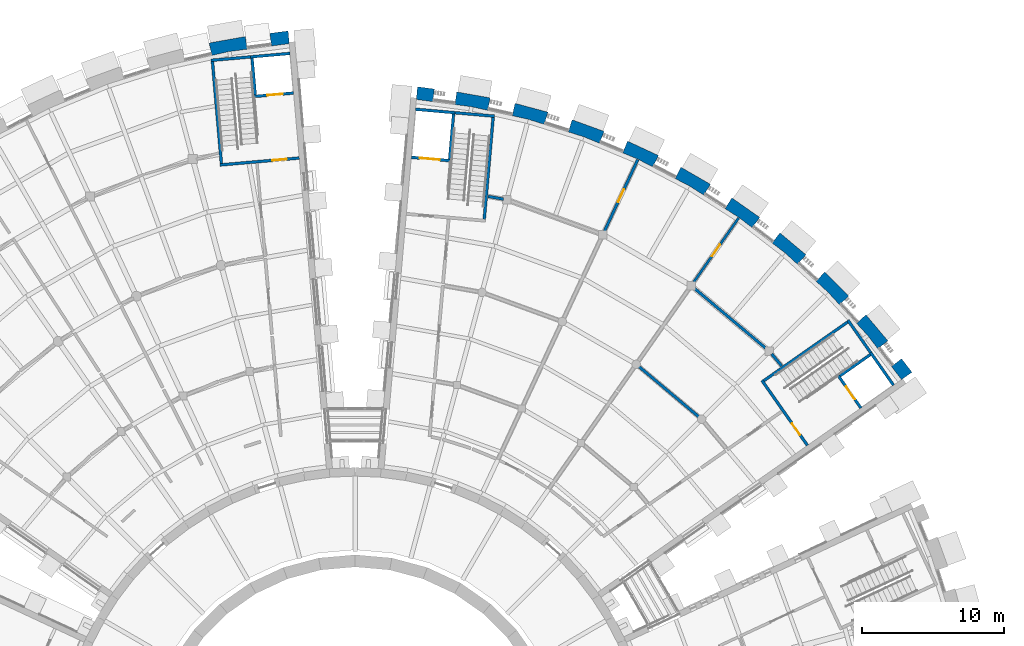
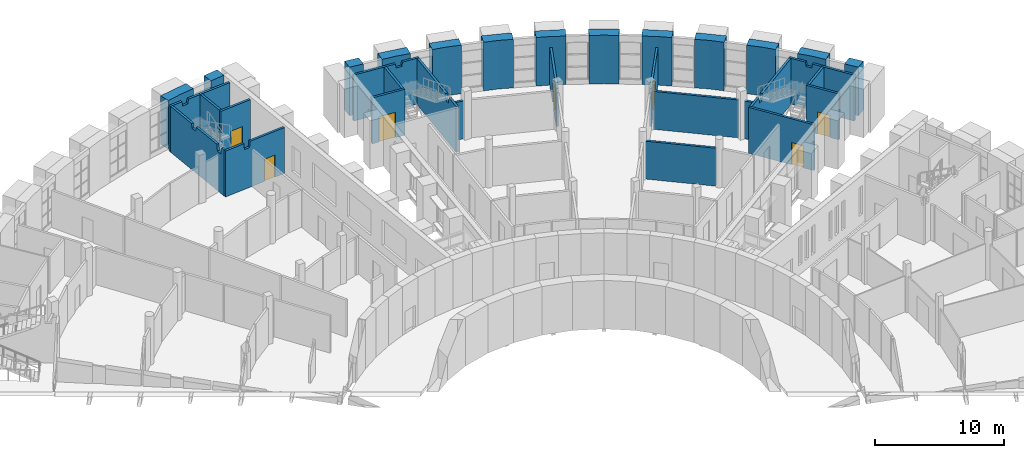
# One storey, part 49 of 66: 36 walls, 7 doors, 7 openings.
"""IFC4 building model written with IfcOpenShell, lengths in metres."""

from ifc_helpers import new_model, si_unit, direction, frame, frame_2d, origin, place, context, subcontext, project, spatial, polyline, rectangle, outline, extrude, material, layer, layer_set, type_object, element, fill, save


model = new_model("IFC4")

# Units and contexts
model_context = context("Model", 3, precision=1e-05, world=origin(), true_north=direction((0.0, 1.0)))
body_context = subcontext(model_context, "Body", "Model", "MODEL_VIEW")
ifc_project = project(units=[si_unit("LENGTHUNIT", "METRE"), si_unit("AREAUNIT", "SQUARE_METRE"), si_unit("VOLUMEUNIT", "CUBIC_METRE"), si_unit("PLANEANGLEUNIT", "RADIAN"), si_unit("MASSUNIT", "GRAM", prefix="KILO")], contexts=[model_context])

# Site, building, storey
site_placement = place(None, origin())
site = spatial("IfcSite", under=ifc_project, at=site_placement, CompositionType="ELEMENT")
building_placement = place(site_placement, origin())
building = spatial("IfcBuilding", under=site, at=building_placement, Name="Volute Hill Aquarium", CompositionType="ELEMENT")
storey_placement = place(building_placement, frame((0.0, 0.0, 4.60009765625)))
storey = spatial("IfcBuildingStorey", under=building, at=storey_placement, Name="L02", CompositionType="ELEMENT", Elevation=4.60009765625)

# Wall, opening, door
ifc_material_1 = material(Name="Concrete C30/37", Category="concrete")
ifc_layer_1 = layer(ifc_material_1, 0.199951171875)
ifc_layer_set_1 = layer_set([ifc_layer_1], Name="Core wall 200 REI 60")
wall_type_1 = type_object("IfcWallType", Name="Core wall 200 REI 60", PredefinedType="SHEAR", material=ifc_layer_set_1)
wall_1_placement = place(storey_placement, frame((31.873291015625, 22.56201171875, 0.0), z_axis=(0.0, 0.0, 1.0), x_axis=(-0.573599855614, 0.819135645446, 0.0)))
wall_1 = element("IfcWall", 1, at=wall_1_placement, inside=storey, type_object=wall_type_1, Name="wc/S5-A/L02/in", PredefinedType="SHEAR", context=body_context, shape_type="SweptSolid", body=[
    extrude(rectangle(XDim=5.60009765625, YDim=0.199951171875, at=frame_2d((2.800048828125, 0.0))), origin(), (0.0, 0.0, 1.0), 4.349853515625),
])
opening_1_placement = place(wall_1_placement, frame((0.89990234375, 0.0, 0.0)))
opening_1 = element("IfcOpeningElement", 2, at=opening_1_placement, cuts=wall_1, Name="Opening D5.02.AS", PredefinedType="OPENING", context=body_context, shape_type="SweptSolid", body=[
    extrude(rectangle(XDim=1.0, YDim=2.10009765625, at=frame_2d((0.5, 1.050048828125))), frame((0.0, 0.10986328125, 0.0), z_axis=(0.0, -1.0, 0.0), x_axis=(1.0, 0.0, 0.0)), (0.0, 0.0, 1.0), 0.219970703125),
])
ifc_material_2 = material(Name="Timber, fire-rated", Category="wood")
door_type_1 = type_object("IfcDoorType", Name="Door 1000 x 2100 single EI1 30", OperationType="SINGLE_SWING_LEFT", PredefinedType="DOOR", material=ifc_material_2)
door_1_placement = place(opening_1_placement, origin())
door_1 = element("IfcDoor", 3, at=door_1_placement, inside=storey, type_object=door_type_1, Name="d/S5-A/L02/st", OperationType="SINGLE_SWING_RIGHT", OverallHeight=2.10009765625, OverallWidth=1.0, PredefinedType="DOOR", context=body_context, shape_type="SweptSolid", body=[
    extrude(rectangle(XDim=1.0, YDim=2.10009765625, at=frame_2d((0.5, 1.050048828125))), frame((0.0, 0.02490234375, 0.0), z_axis=(0.0, -1.0, 0.0), x_axis=(1.0, 0.0, 0.0)), (0.0, 0.0, 1.0), 0.050048828125),
])
fill(opening_1, door_1)

# Walls
wall_2_placement = place(storey_placement, frame((28.80029296875, 27.124755859375, 0.0), z_axis=(0.0, 0.0, 1.0), x_axis=(0.819161821637, 0.573562472597, 0.0)))
element("IfcWall", 4, at=wall_2_placement, inside=storey, type_object=wall_type_1, Name="wc/S5-A/L02/side", PredefinedType="SHEAR", context=body_context, shape_type="SweptSolid", body=[
    extrude(outline(polyline([(0.0, 0.0), (7.199951171875, 0.0), (7.199951171875, 4.349853515625), (1.93017578125, 4.349853515625), (1.880126953125, 3.760009765625), (1.380126953125, 3.760009765625), (1.330078125, 4.349853515625), (0.0, 4.349853515625), (0.0, 0.0)])), frame((0.0, 0.10009765625, 0.0), z_axis=(0.0, -1.0, 0.0), x_axis=(1.0, 0.0, 0.0)), (0.0, 0.0, 1.0), 0.199951171875),
])
wall_3_placement = place(storey_placement, frame((36.328857421875, 29.10009765625, 0.0), z_axis=(0.0, 0.0, 1.0), x_axis=(-0.573550118428, 0.819170471667, 0.0)))
element("IfcWall", 5, at=wall_3_placement, inside=storey, type_object=wall_type_1, Name="wc/S5-A/L02/out-b", PredefinedType="SHEAR", context=body_context, shape_type="SweptSolid", body=[
    extrude(outline(polyline([(0.0, 0.0), (2.800048828125, 0.0), (2.800048828125, 4.349853515625), (1.37255859375, 4.349853515625), (1.322509765625, 3.9599609375), (0.822509765625, 3.9599609375), (0.7724609375, 4.349853515625), (0.0, 4.349853515625), (0.0, 0.0)])), frame((0.0, 0.10009765625, 0.0), z_axis=(0.0, -1.0, 0.0), x_axis=(1.0, 0.0, 0.0)), (0.0, 0.0, 1.0), 0.199951171875),
])
wall_4_placement = place(storey_placement, frame((9.090576171875, 38.504150390625, 0.0), z_axis=(0.0, 0.0, 1.0), x_axis=(0.087144656612, 0.996195667941, 0.0)))
element("IfcWall", 6, at=wall_4_placement, inside=storey, type_object=wall_type_1, Name="wc/S5-B/L02/side", PredefinedType="SHEAR", context=body_context, shape_type="SweptSolid", body=[
    extrude(outline(polyline([(0.0, 0.0), (7.199951171875, 0.0), (7.199951171875, 4.349853515625), (1.93017578125, 4.349853515625), (1.880126953125, 3.760009765625), (1.380126953125, 3.760009765625), (1.330078125, 4.349853515625), (0.0, 4.349853515625), (0.0, 0.0)])), frame((0.0, 0.10009765625, 0.0), z_axis=(0.0, -1.0, 0.0), x_axis=(1.0, 0.0, 0.0)), (0.0, 0.0, 1.0), 0.199951171875),
])
wall_5_placement = place(storey_placement, frame((7.037109375, 46.01171875, 0.0), z_axis=(0.0, 0.0, 1.0), x_axis=(0.996191351034, -0.087193991338, 0.0)))
element("IfcWall", 7, at=wall_5_placement, inside=storey, type_object=wall_type_1, Name="wc/S5-B/L02/out-b", PredefinedType="SHEAR", context=body_context, shape_type="SweptSolid", body=[
    extrude(outline(polyline([(0.0, 0.0), (2.800048828125, 0.0), (2.800048828125, 4.349853515625), (1.37255859375, 4.349853515625), (1.322509765625, 3.9599609375), (0.822509765625, 3.9599609375), (0.772705078125, 4.349853515625), (0.0, 4.349853515625), (0.0, 0.0)])), frame((0.0, 0.10009765625, 0.0), z_axis=(0.0, -1.0, 0.0), x_axis=(1.0, 0.0, 0.0)), (0.0, 0.0, 1.0), 0.199951171875),
])

# Wall, opening, door
wall_6_placement = place(storey_placement, frame((-3.947021484375, 42.81884765625, 0.0), z_axis=(0.0, 0.0, 1.0), x_axis=(-0.996195137027, -0.087150725554, 0.0)))
wall_6 = element("IfcWall", 8, at=wall_6_placement, inside=storey, type_object=wall_type_1, Name="wc/S6-A/L02/in", PredefinedType="SHEAR", context=body_context, shape_type="SweptSolid", body=[
    extrude(outline(polyline([(0.0, 0.0), (5.599853515625, 0.0), (5.60009765625, 4.349853515625), (3.853271484375, 4.349853515625), (3.80322265625, 3.77978515625), (3.30322265625, 3.77978515625), (3.253173828125, 4.349853515625), (0.0, 4.349853515625), (0.0, 0.0)])), frame((0.0, 0.10009765625, 0.0), z_axis=(0.0, -1.0, 0.0), x_axis=(1.0, 0.0, 0.0)), (0.0, 0.0, 1.0), 0.199951171875),
])
opening_2_placement = place(wall_6_placement, frame((0.89990234375, 0.0, 0.0)))
opening_2 = element("IfcOpeningElement", 9, at=opening_2_placement, cuts=wall_6, Name="Opening D6.02.AS", PredefinedType="OPENING", context=body_context, shape_type="SweptSolid", body=[
    extrude(rectangle(XDim=1.0, YDim=2.10009765625, at=frame_2d((0.5, 1.050048828125))), frame((0.0, 0.10986328125, 0.0), z_axis=(0.0, -1.0, 0.0), x_axis=(1.0, 0.0, 0.0)), (0.0, 0.0, 1.0), 0.219970703125),
])
door_2_placement = place(opening_2_placement, origin())
door_2 = element("IfcDoor", 10, at=door_2_placement, inside=storey, type_object=door_type_1, Name="d/S6-A/L02/st", OperationType="SINGLE_SWING_RIGHT", OverallHeight=2.10009765625, OverallWidth=1.0, PredefinedType="DOOR", context=body_context, shape_type="SweptSolid", body=[
    extrude(rectangle(XDim=1.0, YDim=2.10009765625, at=frame_2d((0.5, 1.050048828125))), frame((0.0, 0.02490234375, 0.0), z_axis=(0.0, -1.0, 0.0), x_axis=(1.0, 0.0, 0.0)), (0.0, 0.0, 1.0), 0.050048828125),
])
fill(opening_2, door_2)

# Walls
wall_7_placement = place(storey_placement, frame((-9.434814453125, 42.439208984375, 0.0), z_axis=(0.0, 0.0, 1.0), x_axis=(-0.087144656612, 0.996195667941, 0.0)))
element("IfcWall", 11, at=wall_7_placement, inside=storey, type_object=wall_type_1, Name="wc/S6-A/L02/side", PredefinedType="SHEAR", context=body_context, shape_type="SweptSolid", body=[
    extrude(outline(polyline([(0.0, 0.0), (7.199951171875, 0.0), (7.199951171875, 4.349853515625), (4.36767578125, 4.349853515625), (4.317626953125, 3.929931640625), (3.817626953125, 3.929931640625), (3.767578125, 4.349853515625), (0.942626953125, 4.349853515625), (0.892578125, 3.72998046875), (0.392578125, 3.72998046875), (0.342529296875, 4.349853515625), (0.0, 4.349853515625), (0.0, 0.0)])), frame((0.0, 0.10009765625, 0.0), z_axis=(0.0, -1.0, 0.0), x_axis=(1.0, 0.0, 0.0)), (0.0, 0.0, 1.0), 0.199951171875),
])
wall_8_placement = place(storey_placement, frame((-7.381103515625, 49.94677734375, 0.0), z_axis=(0.0, 0.0, 1.0), x_axis=(-0.996192013865, -0.087186418157, 0.0)))
element("IfcWall", 12, at=wall_8_placement, inside=storey, type_object=wall_type_1, Name="wc/S6-A/L02/out-b", PredefinedType="SHEAR", context=body_context, shape_type="SweptSolid", body=[
    extrude(outline(polyline([(0.0, 0.0), (2.80029296875, 0.0), (2.800048828125, 4.349853515625), (1.71826171875, 4.349853515625), (1.668212890625, 3.929931640625), (1.168212890625, 3.929931640625), (1.1181640625, 4.349853515625), (0.0, 4.349853515625), (0.0, 0.0)])), frame((0.0, 0.10009765625, 0.0), z_axis=(0.0, -1.0, 0.0), x_axis=(1.0, 0.0, 0.0)), (0.0, 0.0, 1.0), 0.199951171875),
])

# Wall, opening, door
ifc_material_3 = material(Name="Gypsum board on steel studs", Category="steel")
ifc_layer_2 = layer(ifc_material_3, 0.175048828125)
ifc_layer_set_2 = layer_set([ifc_layer_2], Name="Corridor partition 175 EI 60")
wall_type_2 = type_object("IfcWallType", Name="Corridor partition 175 EI 60", PredefinedType="PARTITIONING", material=ifc_layer_set_2)
wall_9_placement = place(storey_placement, frame((23.819091796875, 34.01708984375, 0.0), z_axis=(0.0, 0.0, 1.0), x_axis=(0.573564881926, 0.819160134663, 0.0)))
wall_9 = element("IfcWall", 13, at=wall_9_placement, inside=storey, type_object=wall_type_2, Name="pw/S5/L02/008", PredefinedType="PARTITIONING", context=body_context, shape_type="SweptSolid", body=[
    extrude(rectangle(XDim=5.5927734375, YDim=0.175048828125, at=frame_2d((2.79638671875, 0.0))), origin(), (0.0, 0.0, 1.0), 3.58984375),
])
opening_3_placement = place(wall_9_placement, frame((2.29638671875, 0.0, 0.0)))
opening_3 = element("IfcOpeningElement", 14, at=opening_3_placement, cuts=wall_9, Name="Opening D5.02.08", PredefinedType="OPENING", context=body_context, shape_type="SweptSolid", body=[
    extrude(rectangle(XDim=1.0, YDim=2.10009765625, at=frame_2d((0.5, 1.050048828125))), frame((0.0, 0.097412109375, 0.0), z_axis=(0.0, -1.0, 0.0), x_axis=(1.0, 0.0, 0.0)), (0.0, 0.0, 1.0), 0.195068359375),
])
door_3_placement = place(opening_3_placement, origin())
door_3 = element("IfcDoor", 15, at=door_3_placement, inside=storey, type_object=door_type_1, Name="d/S5/L02/08", OperationType="SINGLE_SWING_RIGHT", OverallHeight=2.10009765625, OverallWidth=1.0, PredefinedType="DOOR", context=body_context, shape_type="SweptSolid", body=[
    extrude(rectangle(XDim=1.0, YDim=2.10009765625, at=frame_2d((0.5, 1.050048828125))), frame((0.0, 0.02490234375, 0.0), z_axis=(0.0, -1.0, 0.0), x_axis=(1.0, 0.0, 0.0)), (0.0, 0.0, 1.0), 0.050048828125),
])
fill(opening_3, door_3)

# Wall
ifc_material_4 = material(Name="Masonry blockwork", Category="masonry")
ifc_layer_3 = layer(ifc_material_4, 0.199951171875)
ifc_layer_set_3 = layer_set([ifc_layer_3], Name="Fire partition 200 EI 60")
wall_type_3 = type_object("IfcWallType", Name="Fire partition 200 EI 60", PredefinedType="PARTITIONING", material=ifc_layer_set_3)
wall_10_placement = place(storey_placement, frame((23.865234375, 33.66650390625, 0.0), z_axis=(0.0, 0.0, 1.0), x_axis=(0.766057023057, -0.642772617202, 0.0)))
element("IfcWall", 16, at=wall_10_placement, inside=storey, type_object=wall_type_3, Name="pw/S5/L02/003", PredefinedType="PARTITIONING", context=body_context, shape_type="SweptSolid", body=[
    extrude(rectangle(XDim=6.71728515625, YDim=0.199951171875, at=frame_2d((3.358642578125, 0.0))), origin(), (0.0, 0.0, 1.0), 3.58984375),
])

# Wall, opening, door
wall_11_placement = place(storey_placement, frame((19.913818359375, 42.705078125, 0.0), z_axis=(0.0, 0.0, 1.0), x_axis=(-0.422617785161, -0.906308009269, 0.0)))
wall_11 = element("IfcWall", 17, at=wall_11_placement, inside=storey, type_object=wall_type_3, Name="pw/S5/L02/007", PredefinedType="PARTITIONING", context=body_context, shape_type="SweptSolid", body=[
    extrude(rectangle(XDim=5.592529296875, YDim=0.199951171875, at=frame_2d((2.79638671875, 0.0))), origin(), (0.0, 0.0, 1.0), 3.58984375),
])
opening_4_placement = place(wall_11_placement, frame((2.29638671875, 0.0, 0.0)))
opening_4 = element("IfcOpeningElement", 18, at=opening_4_placement, cuts=wall_11, Name="Opening D5.02.09", PredefinedType="OPENING", context=body_context, shape_type="SweptSolid", body=[
    extrude(rectangle(XDim=1.0, YDim=2.10009765625, at=frame_2d((0.5, 1.050048828125))), frame((0.0, 0.10986328125, 0.0), z_axis=(0.0, -1.0, 0.0), x_axis=(1.0, 0.0, 0.0)), (0.0, 0.0, 1.0), 0.219970703125),
])
door_4_placement = place(opening_4_placement, origin())
door_4 = element("IfcDoor", 19, at=door_4_placement, inside=storey, type_object=door_type_1, Name="d/S5/L02/09", OperationType="SINGLE_SWING_LEFT", OverallHeight=2.10009765625, OverallWidth=1.0, PredefinedType="DOOR", context=body_context, shape_type="SweptSolid", body=[
    extrude(rectangle(XDim=1.0, YDim=2.10009765625, at=frame_2d((0.5, 1.050048828125))), frame((0.0, 0.02490234375, 0.0), z_axis=(0.0, -1.0, 0.0), x_axis=(1.0, 0.0, 0.0)), (0.0, 0.0, 1.0), 0.050048828125),
])
fill(opening_4, door_4)

# Walls
wall_12_placement = place(storey_placement, frame((19.986572265625, 28.126953125, 0.0), z_axis=(0.0, 0.0, 1.0), x_axis=(0.766045187475, -0.642786722597, 0.0)))
element("IfcWall", 20, at=wall_12_placement, inside=storey, type_object=wall_type_3, Name="pw/S5/L02/010", PredefinedType="PARTITIONING", context=body_context, shape_type="SweptSolid", body=[
    extrude(rectangle(XDim=5.5380859375, YDim=0.199951171875, at=frame_2d((2.76904296875, 0.0))), origin(), (0.0, 0.0, 1.0), 3.58984375),
])
for number, where, z_axis, x_axis, name in (
    (21, (9.36181640625, 40.1142578125, 0.0), (0.0, 0.0, 1.0), (0.984796905189, -0.173709687495, 0.0), "pw/S5/L02/033"),
    (22, (29.348876953125, 29.010986328125, 0.0), (0.0, 0.0, 1.0), (0.642875879514, -0.765970367272, 0.0), "pw/S5/L02/034"),
):
    element("IfcWall", number, at=place(storey_placement, frame(where, z_axis=z_axis, x_axis=x_axis)), inside=storey, type_object=wall_type_3, Name=name, PredefinedType="PARTITIONING", context=body_context, shape_type="SweptSolid", body=[
        extrude(rectangle(XDim=1.104736328125, YDim=0.199951171875, at=frame_2d((0.55224609375, 0.0))), origin(), (0.0, 0.0, 1.0), 3.58984375),
    ])
ifc_material_5 = material(Name="Precast concrete C40/50", Category="concrete")
ifc_layer_4 = layer(ifc_material_5, 0.89990234375)
ifc_layer_set_4 = layer_set([ifc_layer_4], Name="Outer pier precast concrete C40/50 900")
wall_type_4 = type_object("IfcWallType", Name="Outer pier precast concrete C40/50 900", PredefinedType="NOTDEFINED", material=ifc_layer_set_4)
wall_13_placement = place(storey_placement, origin())
element("IfcWall", 23, at=wall_13_placement, inside=storey, type_object=wall_type_4, Name="Outer pier OWP S5 L02 1", PredefinedType="NOTDEFINED", context=body_context, shape_type="SweptSolid", body=[
    extrude(outline(polyline([(38.500732421875, 27.20263671875), (39.23876953125, 27.719482421875), (38.50634765625, 28.673828125), (37.792236328125, 28.1259765625), (38.500732421875, 27.20263671875)])), origin(), (0.0, 0.0, 1.0), 4.599853515625),
])
wall_14_placement = place(storey_placement, origin())
element("IfcWall", 24, at=wall_14_placement, inside=storey, type_object=wall_type_4, Name="Outer pier OWP S5 L02 2", PredefinedType="NOTDEFINED", context=body_context, shape_type="SweptSolid", body=[
    extrude(outline(polyline([(36.8271484375, 29.3837890625), (37.541259765625, 29.931640625), (35.995849609375, 31.773193359375), (35.332275390625, 31.165283203125), (36.11865234375, 30.30712890625), (36.8271484375, 29.3837890625)])), origin(), (0.0, 0.0, 1.0), 4.599853515625),
])
wall_15_placement = place(storey_placement, origin())
element("IfcWall", 25, at=wall_15_placement, inside=storey, type_object=wall_type_4, Name="Outer pier OWP S5 L02 3", PredefinedType="NOTDEFINED", context=body_context, shape_type="SweptSolid", body=[
    extrude(outline(polyline([(34.1259765625, 32.481689453125), (34.78955078125, 33.08984375), (33.08984375, 34.78955078125), (32.481689453125, 34.1259765625), (33.33984375, 33.33984375), (34.1259765625, 32.481689453125)])), origin(), (0.0, 0.0, 1.0), 4.599853515625),
])
wall_16_placement = place(storey_placement, origin())
element("IfcWall", 26, at=wall_16_placement, inside=storey, type_object=wall_type_4, Name="Outer pier OWP S5 L02 4", PredefinedType="NOTDEFINED", context=body_context, shape_type="SweptSolid", body=[
    extrude(outline(polyline([(31.165283203125, 35.33251953125), (31.773193359375, 35.99609375), (29.931640625, 37.541259765625), (29.3837890625, 36.8271484375), (30.30712890625, 36.11865234375), (31.165283203125, 35.33251953125)])), origin(), (0.0, 0.0, 1.0), 4.599853515625),
])
wall_17_placement = place(storey_placement, origin())
element("IfcWall", 27, at=wall_17_placement, inside=storey, type_object=wall_type_4, Name="Outer pier OWP S5 L02 5", PredefinedType="NOTDEFINED", context=body_context, shape_type="SweptSolid", body=[
    extrude(outline(polyline([(27.96728515625, 37.9140625), (28.51513671875, 38.628173828125), (26.5458984375, 40.007080078125), (26.062255859375, 39.248046875), (27.0439453125, 38.622802734375), (27.96728515625, 37.9140625)])), origin(), (0.0, 0.0, 1.0), 4.599853515625),
])
wall_18_placement = place(storey_placement, origin())
element("IfcWall", 28, at=wall_18_placement, inside=storey, type_object=wall_type_4, Name="Outer pier OWP S5 L02 6", PredefinedType="NOTDEFINED", context=body_context, shape_type="SweptSolid", body=[
    extrude(outline(polyline([(24.556396484375, 40.20751953125), (25.039794921875, 40.966552734375), (22.9580078125, 42.16845703125), (22.54248046875, 41.3701171875), (23.57470703125, 40.832763671875), (24.556396484375, 40.20751953125)])), origin(), (0.0, 0.0, 1.0), 4.599853515625),
])
wall_19_placement = place(storey_placement, origin())
element("IfcWall", 29, at=wall_19_placement, inside=storey, type_object=wall_type_4, Name="Outer pier OWP S5 L02 7", PredefinedType="NOTDEFINED", context=body_context, shape_type="SweptSolid", body=[
    extrude(outline(polyline([(20.95849609375, 42.194580078125), (21.374267578125, 42.992919921875), (19.1953125, 44.009033203125), (18.85107421875, 43.177490234375), (19.92626953125, 42.73193359375), (20.95849609375, 42.194580078125)])), origin(), (0.0, 0.0, 1.0), 4.599853515625),
])
wall_20_placement = place(storey_placement, origin())
element("IfcWall", 30, at=wall_20_placement, inside=storey, type_object=wall_type_4, Name="Outer pier OWP S5 L02 8", PredefinedType="NOTDEFINED", context=body_context, shape_type="SweptSolid", body=[
    extrude(outline(polyline([(17.201416015625, 43.86083984375), (17.545654296875, 44.6923828125), (15.286865234375, 45.514404296875), (15.01611328125, 44.656005859375), (16.126220703125, 44.30615234375), (17.201416015625, 43.86083984375)])), origin(), (0.0, 0.0, 1.0), 4.599853515625),
])
wall_21_placement = place(storey_placement, origin())
element("IfcWall", 31, at=wall_21_placement, inside=storey, type_object=wall_type_4, Name="Outer pier OWP S5 L02 9", PredefinedType="NOTDEFINED", context=body_context, shape_type="SweptSolid", body=[
    extrude(outline(polyline([(13.313232421875, 45.193115234375), (13.583740234375, 46.05126953125), (11.26171875, 46.673583984375), (11.06689453125, 45.794921875), (12.203125, 45.54296875), (13.313232421875, 45.193115234375)])), origin(), (0.0, 0.0, 1.0), 4.599853515625),
])
wall_22_placement = place(storey_placement, origin())
element("IfcWall", 32, at=wall_22_placement, inside=storey, type_object=wall_type_4, Name="Outer pier OWP S5 L02 10", PredefinedType="NOTDEFINED", context=body_context, shape_type="SweptSolid", body=[
    extrude(outline(polyline([(9.32373046875, 46.181396484375), (9.5185546875, 47.06005859375), (7.151123046875, 47.4775390625), (7.03369140625, 46.585205078125), (8.1875, 46.433349609375), (9.32373046875, 46.181396484375)])), origin(), (0.0, 0.0, 1.0), 4.599853515625),
])
wall_23_placement = place(storey_placement, origin())
element("IfcWall", 33, at=wall_23_placement, inside=storey, type_object=wall_type_4, Name="Outer pier OWP S5 L02 11", PredefinedType="NOTDEFINED", context=body_context, shape_type="SweptSolid", body=[
    extrude(outline(polyline([(5.461669921875, 46.7919921875), (5.5791015625, 47.684326171875), (4.38623046875, 47.841552734375), (4.307861328125, 46.944091796875), (5.461669921875, 46.7919921875)])), origin(), (0.0, 0.0, 1.0), 4.599853515625),
])
wall_24_placement = place(storey_placement, origin())
element("IfcWall", 34, at=wall_24_placement, inside=storey, type_object=wall_type_4, Name="Outer pier OWP S6 L02 1", PredefinedType="NOTDEFINED", context=body_context, shape_type="SweptSolid", body=[
    extrude(outline(polyline([(-4.652099609375, 50.87890625), (-4.730712890625, 51.7763671875), (-6.020751953125, 51.6064453125), (-5.9033203125, 50.714111328125), (-4.652099609375, 50.87890625)])), origin(), (0.0, 0.0, 1.0), 4.599853515625),
])
wall_25_placement = place(storey_placement, origin())
element("IfcWall", 35, at=wall_25_placement, inside=storey, type_object=wall_type_4, Name="Outer pier OWP S6 L02 2", PredefinedType="NOTDEFINED", context=body_context, shape_type="SweptSolid", body=[
    extrude(outline(polyline([(-7.6220703125, 50.488037109375), (-7.739501953125, 51.380126953125), (-10.30029296875, 50.9287109375), (-10.10546875, 50.050048828125), (-8.873291015625, 50.3232421875), (-7.6220703125, 50.488037109375)])), origin(), (0.0, 0.0, 1.0), 4.599853515625),
])
ifc_material_6 = material(Name="Concrete C30/37", Category="concrete")
ifc_layer_5 = layer(ifc_material_6, 0.199951171875)
ifc_layer_set_5 = layer_set([ifc_layer_5], Name="Shaft wall 200 EI 60")
wall_type_5 = type_object("IfcWallType", Name="Shaft wall 200 EI 60", PredefinedType="SOLIDWALL", material=ifc_layer_set_5)
wall_26_placement = place(storey_placement, frame((37.934814453125, 26.806396484375, 0.0), z_axis=(0.0, 0.0, 1.0), x_axis=(-0.573550118428, 0.819170471667, 0.0)))
element("IfcWall", 36, at=wall_26_placement, inside=storey, type_object=wall_type_5, Name="wc/S5-A/L02/out-a", PredefinedType="SOLIDWALL", context=body_context, shape_type="SweptSolid", body=[
    extrude(rectangle(XDim=2.800048828125, YDim=0.199951171875, at=frame_2d((1.39990234375, 0.0))), origin(), (0.0, 0.0, 1.0), 4.349853515625),
])

# Wall, opening, door
wall_27_placement = place(storey_placement, frame((35.641357421875, 25.200439453125, 0.0), z_axis=(0.0, 0.0, 1.0), x_axis=(-0.573550118428, 0.819170471667, 0.0)))
wall_27 = element("IfcWall", 37, at=wall_27_placement, inside=storey, type_object=wall_type_5, Name="wc/S5-A/L02/front", PredefinedType="SOLIDWALL", context=body_context, shape_type="SweptSolid", body=[
    extrude(rectangle(XDim=2.800048828125, YDim=0.199951171875, at=frame_2d((1.39990234375, 0.0))), origin(), (0.0, 0.0, 1.0), 4.349853515625),
])
opening_5_placement = place(wall_27_placement, frame((0.75, 0.0, 0.0)))
opening_5 = element("IfcOpeningElement", 38, at=opening_5_placement, cuts=wall_27, Name="Opening LD5.02.A", PredefinedType="OPENING", context=body_context, shape_type="SweptSolid", body=[
    extrude(rectangle(XDim=1.10009765625, YDim=2.10009765625, at=frame_2d((0.550048828125, 1.050048828125))), frame((0.0, 0.10986328125, 0.0), z_axis=(0.0, -1.0, 0.0), x_axis=(1.0, 0.0, 0.0)), (0.0, 0.0, 1.0), 0.219970703125),
])
ifc_material_7 = material(Name="Stainless steel", Category="steel")
door_type_2 = type_object("IfcDoorType", Name="Lift landing door 1100 x 2100", OperationType="SLIDING_TO_LEFT", PredefinedType="DOOR", material=ifc_material_7)
door_5_placement = place(opening_5_placement, origin())
door_5 = element("IfcDoor", 39, at=door_5_placement, inside=storey, type_object=door_type_2, Name="d/S5-A/L02/ld", OperationType="SLIDING_TO_LEFT", OverallHeight=2.10009765625, OverallWidth=1.10009765625, PredefinedType="DOOR", context=body_context, shape_type="SweptSolid", body=[
    extrude(rectangle(XDim=1.10009765625, YDim=2.10009765625, at=frame_2d((0.550048828125, 1.050048828125))), frame((0.0, 0.02490234375, 0.0), z_axis=(0.0, -1.0, 0.0), x_axis=(1.0, 0.0, 0.0)), (0.0, 0.0, 1.0), 0.050048828125),
])
fill(opening_5, door_5)

# Walls
wall_28_placement = place(storey_placement, frame((34.174560546875, 27.469482421875, 0.0), z_axis=(0.0, 0.0, 1.0), x_axis=(0.819148089014, 0.573582085028, 0.0)))
element("IfcWall", 40, at=wall_28_placement, inside=storey, type_object=wall_type_5, Name="wc/S5-A/L02/shaft-side", PredefinedType="SOLIDWALL", context=body_context, shape_type="SweptSolid", body=[
    extrude(rectangle(XDim=2.599853515625, YDim=0.199951171875, at=frame_2d((1.2998046875, 0.0))), origin(), (0.0, 0.0, 1.0), 4.349853515625),
])
wall_29_placement = place(storey_placement, frame((4.24755859375, 46.255859375, 0.0), z_axis=(0.0, 0.0, 1.0), x_axis=(0.996192013865, -0.087186418157, 0.0)))
element("IfcWall", 41, at=wall_29_placement, inside=storey, type_object=wall_type_5, Name="wc/S5-B/L02/out-a", PredefinedType="SOLIDWALL", context=body_context, shape_type="SweptSolid", body=[
    extrude(rectangle(XDim=2.80029296875, YDim=0.199951171875, at=frame_2d((1.400146484375, 0.0))), origin(), (0.0, 0.0, 1.0), 4.349853515625),
])

# Wall, opening, door
wall_30_placement = place(storey_placement, frame((3.951416015625, 42.868896484375, 0.0), z_axis=(0.0, 0.0, 1.0), x_axis=(0.99619068803, -0.087201565829, 0.0)))
wall_30 = element("IfcWall", 42, at=wall_30_placement, inside=storey, type_object=wall_type_5, Name="wc/S5-B/L02/front", PredefinedType="SOLIDWALL", context=body_context, shape_type="SweptSolid", body=[
    extrude(rectangle(XDim=2.7998046875, YDim=0.199951171875, at=frame_2d((1.39990234375, 0.0))), origin(), (0.0, 0.0, 1.0), 4.349853515625),
])
opening_6_placement = place(wall_30_placement, frame((0.60009765625, 0.0, 0.0)))
opening_6 = element("IfcOpeningElement", 43, at=opening_6_placement, cuts=wall_30, Name="Opening LD5.02.B", PredefinedType="OPENING", context=body_context, shape_type="SweptSolid", body=[
    extrude(rectangle(XDim=1.39990234375, YDim=2.39990234375, at=frame_2d((0.699951171875, 1.199951171875))), frame((0.0, 0.10986328125, 0.0), z_axis=(0.0, -1.0, 0.0), x_axis=(1.0, 0.0, 0.0)), (0.0, 0.0, 1.0), 0.219970703125),
])
ifc_material_8 = material(Name="Steel", Category="steel")
door_type_3 = type_object("IfcDoorType", Name="Lift landing door 1400 x 2400 goods", OperationType="SLIDING_TO_LEFT", PredefinedType="DOOR", material=ifc_material_8)
door_6_placement = place(opening_6_placement, origin())
door_6 = element("IfcDoor", 44, at=door_6_placement, inside=storey, type_object=door_type_3, Name="d/S5-B/L02/ld", OperationType="SLIDING_TO_LEFT", OverallHeight=2.39990234375, OverallWidth=1.39990234375, PredefinedType="DOOR", context=body_context, shape_type="SweptSolid", body=[
    extrude(rectangle(XDim=1.39990234375, YDim=2.39990234375, at=frame_2d((0.699951171875, 1.199951171875))), frame((0.0, 0.02490234375, 0.0), z_axis=(0.0, -1.0, 0.0), x_axis=(1.0, 0.0, 0.0)), (0.0, 0.0, 1.0), 0.050048828125),
])
fill(opening_6, door_6)

# Walls
wall_31_placement = place(storey_placement, frame((6.649658203125, 42.73291015625, 0.0), z_axis=(0.0, 0.0, 1.0), x_axis=(0.087199127005, 0.996190901509, 0.0)))
element("IfcWall", 45, at=wall_31_placement, inside=storey, type_object=wall_type_5, Name="wc/S5-B/L02/shaft-side", PredefinedType="SOLIDWALL", context=body_context, shape_type="SweptSolid", body=[
    extrude(rectangle(XDim=3.2001953125, YDim=0.199951171875, at=frame_2d((1.60009765625, 0.0))), origin(), (0.0, 0.0, 1.0), 4.349853515625),
])
wall_32_placement = place(storey_placement, frame((-4.591796875, 50.19091796875, 0.0), z_axis=(0.0, 0.0, 1.0), x_axis=(-0.996191351034, -0.087193991338, 0.0)))
element("IfcWall", 46, at=wall_32_placement, inside=storey, type_object=wall_type_5, Name="wc/S6-A/L02/out-a", PredefinedType="SOLIDWALL", context=body_context, shape_type="SweptSolid", body=[
    extrude(rectangle(XDim=2.800048828125, YDim=0.199951171875, at=frame_2d((1.39990234375, 0.0))), origin(), (0.0, 0.0, 1.0), 4.349853515625),
])

# Wall, opening, door
wall_33_placement = place(storey_placement, frame((-4.347900390625, 47.4013671875, 0.0), z_axis=(0.0, 0.0, 1.0), x_axis=(-0.996198921169, -0.087107459278, 0.0)))
wall_33 = element("IfcWall", 47, at=wall_33_placement, inside=storey, type_object=wall_type_5, Name="wc/S6-A/L02/front", PredefinedType="SOLIDWALL", context=body_context, shape_type="SweptSolid", body=[
    extrude(rectangle(XDim=2.800048828125, YDim=0.199951171875, at=frame_2d((1.39990234375, 0.0))), origin(), (0.0, 0.0, 1.0), 4.349853515625),
])
opening_7_placement = place(wall_33_placement, frame((0.75, 0.0, 0.0)))
opening_7 = element("IfcOpeningElement", 48, at=opening_7_placement, cuts=wall_33, Name="Opening LD6.02.A", PredefinedType="OPENING", context=body_context, shape_type="SweptSolid", body=[
    extrude(rectangle(XDim=1.10009765625, YDim=2.10009765625, at=frame_2d((0.550048828125, 1.050048828125))), frame((0.0, 0.10986328125, 0.0), z_axis=(0.0, -1.0, 0.0), x_axis=(1.0, 0.0, 0.0)), (0.0, 0.0, 1.0), 0.219970703125),
])
door_7_placement = place(opening_7_placement, origin())
door_7 = element("IfcDoor", 49, at=door_7_placement, inside=storey, type_object=door_type_2, Name="d/S6-A/L02/ld", OperationType="SLIDING_TO_LEFT", OverallHeight=2.10009765625, OverallWidth=1.10009765625, PredefinedType="DOOR", context=body_context, shape_type="SweptSolid", body=[
    extrude(rectangle(XDim=1.10009765625, YDim=2.10009765625, at=frame_2d((0.550048828125, 1.050048828125))), frame((0.0, 0.02490234375, 0.0), z_axis=(0.0, -1.0, 0.0), x_axis=(1.0, 0.0, 0.0)), (0.0, 0.0, 1.0), 0.050048828125),
])
fill(opening_7, door_7)

# Wall
wall_34_placement = place(storey_placement, frame((-7.04638671875, 47.265625, 0.0), z_axis=(0.0, 0.0, 1.0), x_axis=(-0.087140158824, 0.996196061386, 0.0)))
element("IfcWall", 50, at=wall_34_placement, inside=storey, type_object=wall_type_5, Name="wc/S6-A/L02/shaft-side", PredefinedType="SOLIDWALL", context=body_context, shape_type="SweptSolid", body=[
    extrude(rectangle(XDim=2.60009765625, YDim=0.199951171875, at=frame_2d((1.300048828125, 0.0))), origin(), (0.0, 0.0, 1.0), 4.349853515625),
])

save(model, "model.ifc")
